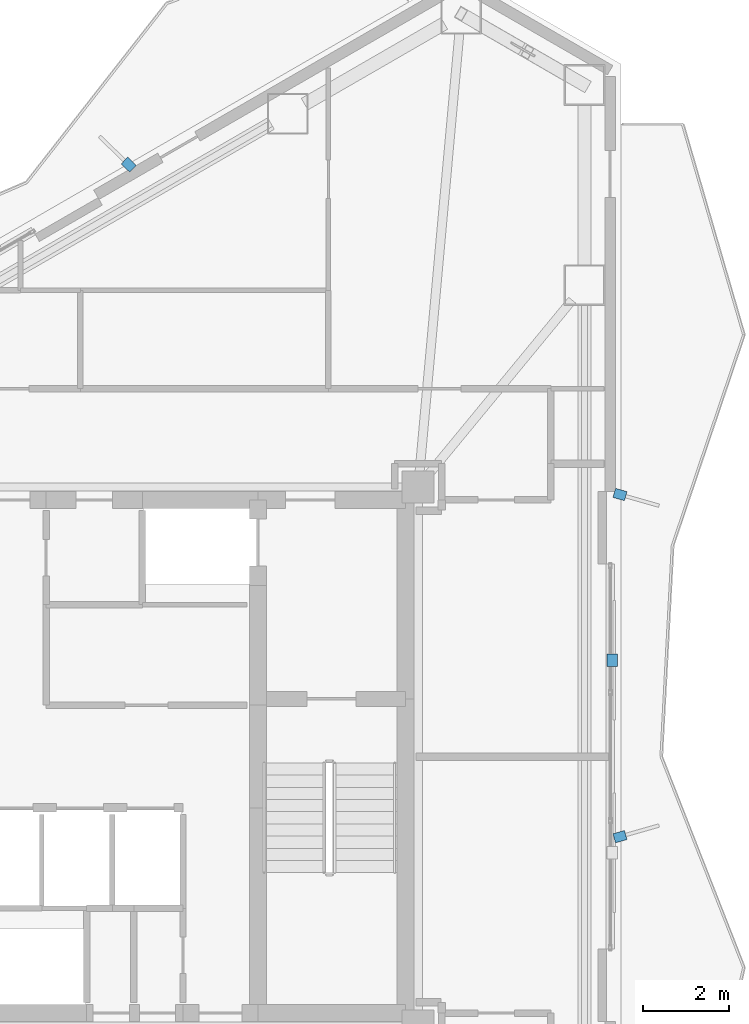
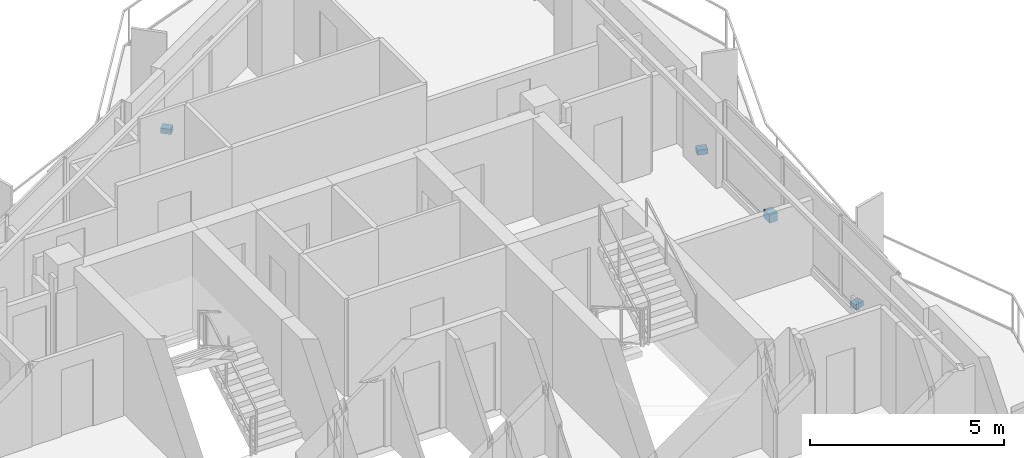
# One storey, part 20 of 22: 4 discrete accessories.
"""IFC4 building model written with IfcOpenShell, lengths in metres."""

from ifc_helpers import new_model, si_unit, direction, frame, origin, origin_2d, place, context, subcontext, project, spatial, rectangle, extrude, material, layer, layer_set, type_object, element, save


model = new_model("IFC4")

# Units and contexts
model_context = context("Model", 3, precision=1e-05, world=origin(), true_north=direction((0.0, 1.0)))
body_context = subcontext(model_context, "Body", "Model", "MODEL_VIEW")
ifc_project = project(units=[si_unit("LENGTHUNIT", "METRE"), si_unit("AREAUNIT", "SQUARE_METRE"), si_unit("VOLUMEUNIT", "CUBIC_METRE"), si_unit("PLANEANGLEUNIT", "RADIAN"), si_unit("MASSUNIT", "GRAM", prefix="KILO")], contexts=[model_context])

# Site, building, storey
site_placement = place(None, origin())
site = spatial("IfcSite", under=ifc_project, at=site_placement, CompositionType="ELEMENT")
building_placement = place(site_placement, origin())
building = spatial("IfcBuilding", under=site, at=building_placement, Name="Mersakhor Tower and Convention Hall", CompositionType="ELEMENT")
storey_placement = place(building_placement, frame((0.0, 0.0, 192.0)))
storey = spatial("IfcBuildingStorey", under=building, at=storey_placement, Name="L53", CompositionType="ELEMENT", Elevation=192.0)

# Discrete accessories
ifc_material = material(Name="Galvanised steel bracket", Category="steel")
ifc_layer = layer(ifc_material, 0.02001953125)
ifc_layer_set = layer_set([ifc_layer], Name="Galvanised steel bracket")
discrete_accessory_type = type_object("IfcDiscreteAccessoryType", Name="ACC-BRK-STL", PredefinedType="BRACKET", material=ifc_layer_set)
discrete_accessory_1_placement = place(storey_placement, frame((29.33251953125, 40.588623046875, -0.02001953125), z_axis=(0.0, 0.0, 1.0), x_axis=(-0.719339800339, 0.694658370459, 0.0)))
element("IfcDiscreteAccessory", 1, at=discrete_accessory_1_placement, inside=storey, type_object=discrete_accessory_type, Name="L53 Facade Fin Base Cleat Bracket FBRK-1-3", PredefinedType="BRACKET", context=body_context, shape_type="SweptSolid", body=[
    extrude(rectangle(XDim=0.280029296875, YDim=0.219970703125, at=origin_2d()), origin(), (0.0, 0.0, 1.0), 0.159912109375),
])
discrete_accessory_2_placement = place(storey_placement, frame((40.638427734375, 28.999755859375, 0.2900390625), z_axis=(0.0, 0.0, 1.0), x_axis=(0.0, -1.0, 0.0)))
element("IfcDiscreteAccessory", 2, at=discrete_accessory_2_placement, inside=storey, type_object=discrete_accessory_type, Name="L53 Solar Screen Outrigger Bracket BRK-2-1", PredefinedType="BRACKET", context=body_context, shape_type="SweptSolid", body=[
    extrude(rectangle(XDim=0.300048828125, YDim=0.239990234375, at=origin_2d()), origin(), (0.0, 0.0, 1.0), 0.260009765625),
])
for number, where, z_axis, x_axis, name in (
    (3, (40.818359375, 32.8759765625, -0.02001953125), (0.0, 0.0, 1.0), (0.961261695938, -0.275637355817, 0.0), "L53 Facade Fin Base Cleat Bracket FBRK-2-1"),
    (4, (40.818359375, 24.8759765625, -0.02001953125), (0.0, 0.0, 1.0), (0.961261695938, 0.275637355817, 0.0), "L53 Facade Fin Base Cleat Bracket FBRK-2-2"),
):
    element("IfcDiscreteAccessory", number, at=place(storey_placement, frame(where, z_axis=z_axis, x_axis=x_axis)), inside=storey, type_object=discrete_accessory_type, Name=name, PredefinedType="BRACKET", context=body_context, shape_type="SweptSolid", body=[
        extrude(rectangle(XDim=0.280029296875, YDim=0.219970703125, at=origin_2d()), origin(), (0.0, 0.0, 1.0), 0.159912109375),
    ])

save(model, "model.ifc")
